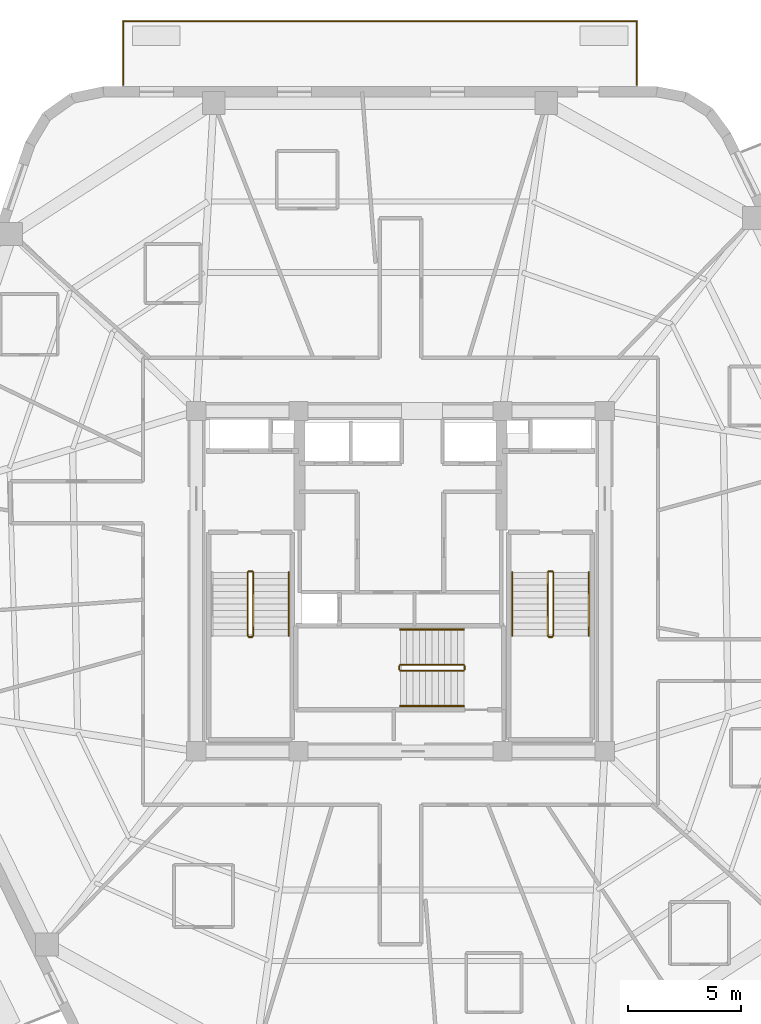
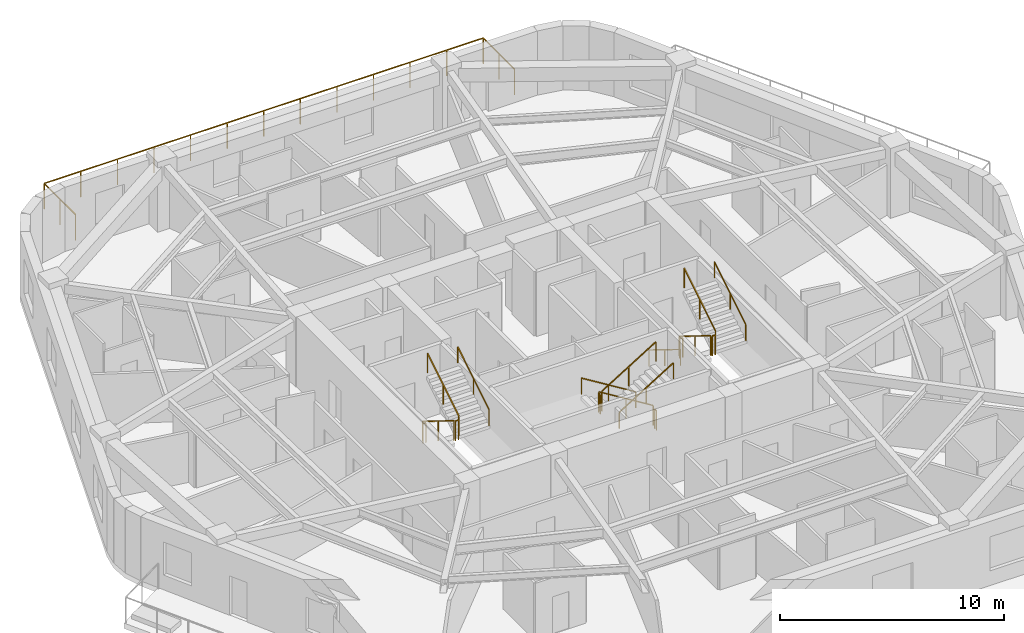
# One storey, part 9 of 10: 18 railings.
"""IFC4 building model written with IfcOpenShell, lengths in metres."""

import ifcopenshell
import ifcopenshell.guid

model = None  # the IFC model being written
_history = None  # IfcOwnerHistory: only IFC2X3 demands one
_inside = {}  # id of a spatial element -> (the spatial element, [elements in it])
_under = {}  # id of a project, library or spatial element -> (it, [spatial elements below it])
_declared = {}  # id of a project -> (the project, [libraries it declares])
_typed = {}  # id of a type object -> (the type object, [elements of that type])
_made_of = {}  # id of a material, layer set ... -> (it, [elements and type objects made of it])


def new_model(schema):
    """Start an empty IFC model of exactly this schema.

    Asked for "IFC4X3", IfcOpenShell would pick the latest addendum, in which some entities
    have other attributes; the version numbers below select the first issue.
    IFC2X3 requires an IfcOwnerHistory on every rooted entity: one is made here for all.
    """
    global model, _history
    if schema == "IFC4X3":
        model = ifcopenshell.file(schema_version=(4, 3, 0, 0))
    else:
        model = ifcopenshell.file(schema=schema)
    _inside.clear()
    _under.clear()
    _declared.clear()
    _typed.clear()
    _made_of.clear()
    _history = None
    if model.schema == "IFC2X3":
        org = make("IfcOrganization", Name="unknown")
        user = make(
            "IfcPersonAndOrganization",
            ThePerson=make("IfcPerson", FamilyName="unknown"),
            TheOrganization=org,
        )
        app = make(
            "IfcApplication",
            ApplicationDeveloper=org,
            Version="unknown",
            ApplicationFullName="unknown",
            ApplicationIdentifier="unknown",
        )
        _history = make(
            "IfcOwnerHistory",
            OwningUser=user,
            OwningApplication=app,
            ChangeAction="ADDED",
            CreationDate=0,
        )
    return model


def make(cls, **values):
    """One entity of the class cls with the attributes given. An attribute that is None is left unset."""
    return model.create_entity(
        cls, **{name: value for name, value in values.items() if value is not None}
    )


def rooted(cls, **values):
    """An entity with a GlobalId (a new one), such as an element, a storey or a relation."""
    return make(cls, GlobalId=ifcopenshell.guid.new(), OwnerHistory=_history, **values)


def si_unit(unit_type, name, prefix=None):
    """IfcSIUnit, for example si_unit("LENGTHUNIT", "METRE", prefix="MILLI")."""
    return make("IfcSIUnit", UnitType=unit_type, Prefix=prefix, Name=name)


def assignment(units):
    """IfcUnitAssignment: the units of a project."""
    return None if units is None else make("IfcUnitAssignment", Units=units)


def point(xyz):
    """IfcCartesianPoint."""
    return None if xyz is None else make("IfcCartesianPoint", Coordinates=xyz)


def direction(xyz):
    """IfcDirection."""
    return None if xyz is None else make("IfcDirection", DirectionRatios=xyz)


def frame(location, z_axis=None, x_axis=None):
    """IfcAxis2Placement3D, a coordinate frame: its origin and axes. An axis left out is left unset."""
    return make(
        "IfcAxis2Placement3D",
        Location=point(location),
        Axis=direction(z_axis),
        RefDirection=direction(x_axis),
    )


def frame_2d(location, x_axis=None):
    """IfcAxis2Placement2D, a coordinate frame in the plane: its origin and x axis."""
    return make(
        "IfcAxis2Placement2D", Location=point(location), RefDirection=direction(x_axis)
    )


def origin():
    """The frame at (0, 0, 0) with its axes left unset."""
    return frame((0.0, 0.0, 0.0))


def origin_2d():
    """The frame at (0, 0) in the plane with its x axis left unset."""
    return frame_2d((0.0, 0.0))


def place(relative_to, where):
    """IfcLocalPlacement: puts the frame where relative to a parent placement (None: the world)."""
    return make(
        "IfcLocalPlacement", PlacementRelTo=relative_to, RelativePlacement=where
    )


def context(
    kind, dimensions, precision=None, world=None, true_north=None, identifier=None
):
    """IfcGeometricRepresentationContext, for example the 3D "Model" context."""
    return make(
        "IfcGeometricRepresentationContext",
        ContextIdentifier=identifier,
        ContextType=kind,
        CoordinateSpaceDimension=dimensions,
        Precision=precision,
        WorldCoordinateSystem=world,
        TrueNorth=true_north,
    )


def subcontext(parent, identifier, kind, view, scale=None):
    """IfcGeometricRepresentationSubContext, for example "Body" below "Model"."""
    return make(
        "IfcGeometricRepresentationSubContext",
        ContextIdentifier=identifier,
        ContextType=kind,
        ParentContext=parent,
        TargetScale=scale,
        TargetView=view,
    )


def project(units=None, contexts=None):
    """IfcProject with its units and contexts."""
    return rooted(
        "IfcProject",
        Name="project",
        RepresentationContexts=contexts,
        UnitsInContext=assignment(units),
    )


def spatial(cls, under=None, at=None, **own):
    """A site, building, storey or space (cls), placed at a placement, below another one or the project."""
    s = rooted(cls, ObjectPlacement=at, **own)
    if under is not None:
        _under.setdefault(under.id(), (under, []))[1].append(s)
    return s


def profile(cls, at=None, kind="AREA", **sizes):
    """A parametric profile (cls). Its sizes go by their IFC names, for example OverallWidth=200.0."""
    return make(cls, ProfileType=kind, Position=at, **sizes)


def rectangle(**sizes):
    """IfcRectangleProfileDef."""
    return profile("IfcRectangleProfileDef", **sizes)


def extrude(swept, where, along, depth):
    """IfcExtrudedAreaSolid: the profile swept, set in the frame where, extruded along a direction by depth."""
    return make(
        "IfcExtrudedAreaSolid",
        SweptArea=swept,
        Position=where,
        ExtrudedDirection=direction(along),
        Depth=depth,
    )


def shape(context_of_items, identifier, shape_type, items):
    """IfcShapeRepresentation: the items that make up one representation, for example the "Body"."""
    return make(
        "IfcShapeRepresentation",
        ContextOfItems=context_of_items,
        RepresentationIdentifier=identifier,
        RepresentationType=shape_type,
        Items=items,
    )


def material(Name=None, Category=None):
    """IfcMaterial."""
    return make("IfcMaterial", Name=Name, Category=Category)


def layer(
    of_material, thickness, ventilated=None, Name=None, Category=None, Priority=None
):
    """IfcMaterialLayer: one layer of a wall or slab, of a material (None: an air gap)."""
    return make(
        "IfcMaterialLayer",
        Material=of_material,
        LayerThickness=thickness,
        IsVentilated=ventilated,
        Name=Name,
        Category=Category,
        Priority=Priority,
    )


def layer_set(layers, Name=None):
    """IfcMaterialLayerSet."""
    return make("IfcMaterialLayerSet", MaterialLayers=layers, LayerSetName=Name)


def made_of(thing, what):
    """Note that an element or type object is made of a material, layer set ...; save() writes the relation."""
    if what is not None:
        _made_of.setdefault(what.id(), (what, []))[1].append(thing)
    return thing


def type_object(cls, material=None, **own):
    """A type object (cls), such as IfcWallType, which elements share."""
    return made_of(rooted(cls, **own), material)


def element(
    cls,
    number,
    at=None,
    inside=None,
    cuts=None,
    type_object=None,
    material=None,
    context=None,
    identifier="Body",
    shape_type=None,
    held_by="IfcProductDefinitionShape",
    body=None,
    shapes=None,
    **own,
):
    """One element of the class cls, such as IfcWall. Its Tag is "e" and its number.

    at: its placement. inside: the storey or other place that contains it. cuts: it is an
    opening in that element (IfcRelVoidsElement). A single representation is given by context,
    identifier, shape_type and body (its items); several are given by shapes. held_by: the class
    of the entity that holds the representations. save() writes the other relations.
    """
    e = rooted(cls, Tag="e%d" % number, ObjectPlacement=at, **own)
    if body is not None:
        shapes = [shape(context, identifier, shape_type, body)]
    if shapes is not None:
        e.Representation = make(held_by, Representations=shapes)
    if inside is not None:
        _inside.setdefault(inside.id(), (inside, []))[1].append(e)
    if cuts is not None:
        rooted(
            "IfcRelVoidsElement", RelatingBuildingElement=cuts, RelatedOpeningElement=e
        )
    if type_object is not None:
        _typed.setdefault(type_object.id(), (type_object, []))[1].append(e)
    return made_of(e, material)


def aggregate(whole, parts):
    """IfcRelAggregates: a whole, such as a stair, and the parts it consists of."""
    return rooted("IfcRelAggregates", RelatingObject=whole, RelatedObjects=parts)


def save(model, path):
    """Write the relations noted so far, then the file.

    IfcRelAggregates (storeys below a building ...), IfcRelContainedInSpatialStructure (elements
    in a storey), IfcRelDefinesByType, IfcRelAssociatesMaterial and IfcRelDeclares: one each for
    every whole, place, type object, material and project.
    """
    for whole, parts in _under.values():
        aggregate(whole, parts)
    for where, things in _inside.values():
        rooted(
            "IfcRelContainedInSpatialStructure",
            RelatedElements=things,
            RelatingStructure=where,
        )
    for kind, things in _typed.values():
        rooted("IfcRelDefinesByType", RelatedObjects=things, RelatingType=kind)
    for what, things in _made_of.values():
        rooted("IfcRelAssociatesMaterial", RelatedObjects=things, RelatingMaterial=what)
    for by, libraries in _declared.values():
        rooted("IfcRelDeclares", RelatingContext=by, RelatedDefinitions=libraries)
    model.write(path)


model = new_model("IFC4")

# Units and contexts
model_context = context("Model", 3, precision=1e-05, world=origin(), true_north=direction((0.0, 1.0)))
body_context = subcontext(model_context, "Body", "Model", "MODEL_VIEW")
ifc_project = project(units=[si_unit("LENGTHUNIT", "METRE"), si_unit("AREAUNIT", "SQUARE_METRE"), si_unit("VOLUMEUNIT", "CUBIC_METRE"), si_unit("PLANEANGLEUNIT", "RADIAN"), si_unit("MASSUNIT", "GRAM", prefix="KILO")], contexts=[model_context])

# Site, building, storey
site_placement = place(None, origin())
site = spatial("IfcSite", under=ifc_project, at=site_placement, CompositionType="ELEMENT")
building_placement = place(site_placement, origin())
building = spatial("IfcBuilding", under=site, at=building_placement, Name="Kilnhurst Terrace Hotel", CompositionType="ELEMENT")
storey_placement = place(building_placement, frame((0.0, 0.0, 217.89990234375)))
storey = spatial("IfcBuildingStorey", under=building, at=storey_placement, Name="L54", CompositionType="ELEMENT", Elevation=217.89990234375)

# Railings
ifc_material_1 = material(Name="Laminated SentryGlas and Stainless Steel AISI 316L Balustrade", Category="steel")
ifc_layer_1 = layer(ifc_material_1, 0.070068359375, Name="Laminated SentryGlas and Stainless Steel AISI 316L Balustrade")
ifc_layer_set_1 = layer_set([ifc_layer_1], Name="Laminated SentryGlas and Stainless Steel AISI 316L Balustrade")
railing_type_1 = type_object("IfcRailingType", Name="RLG-BAL-1420", PredefinedType="BALUSTRADE", material=ifc_layer_set_1)
railing_1_placement = place(storey_placement, frame((-12.21484375, 21.8798828125, 0.0)))
element("IfcRailing", 1, at=railing_1_placement, inside=storey, type_object=railing_type_1, Name="L54 Exterior Terrace Guardrail BAL-L1B.1", PredefinedType="BALUSTRADE", context=body_context, shape_type="SweptSolid", body=[
    extrude(rectangle(XDim=0.048095703125, YDim=0.048095703125, at=origin_2d()), frame((0.0, 0.0, 1.39599609375), z_axis=(0.0, 1.0, 0.0), x_axis=(-1.0, 0.0, 0.0)), (0.0, 0.0, 1.0), 2.800048828125),
    extrude(rectangle(XDim=0.048095703125, YDim=0.048095703125, at=origin_2d()), frame((0.0, 2.800048828125, 1.39599609375), z_axis=(1.0, 0.0, 0.0), x_axis=(0.0, 1.0, 0.0)), (0.0, 0.0, 1.0), 22.62353515625),
    extrude(rectangle(XDim=0.048095703125, YDim=0.048095703125, at=origin_2d()), frame((22.62353515625, 2.800048828125, 1.39599609375), z_axis=(0.0, -1.0, 0.0), x_axis=(1.0, 0.0, 0.0)), (0.0, 0.0, 1.0), 2.800048828125),
    extrude(rectangle(XDim=0.0419921875, YDim=0.0419921875, at=origin_2d()), origin(), (0.0, 0.0, 1.0), 1.371826171875),
    extrude(rectangle(XDim=0.0419921875, YDim=0.0419921875, at=origin_2d()), frame((0.0, 1.39990234375, 0.0)), (0.0, 0.0, 1.0), 1.371826171875),
    extrude(rectangle(XDim=0.0419921875, YDim=0.0419921875, at=origin_2d()), frame((0.0, 2.800048828125, 0.0)), (0.0, 0.0, 1.0), 1.371826171875),
    extrude(rectangle(XDim=0.0419921875, YDim=0.0419921875, at=origin_2d()), frame((1.88525390625, 2.800048828125, 0.0)), (0.0, 0.0, 1.0), 1.371826171875),
    extrude(rectangle(XDim=0.0419921875, YDim=0.0419921875, at=origin_2d()), frame((3.7705078125, 2.800048828125, 0.0)), (0.0, 0.0, 1.0), 1.371826171875),
    extrude(rectangle(XDim=0.0419921875, YDim=0.0419921875, at=origin_2d()), frame((5.65576171875, 2.800048828125, 0.0)), (0.0, 0.0, 1.0), 1.371826171875),
    extrude(rectangle(XDim=0.0419921875, YDim=0.0419921875, at=origin_2d()), frame((7.541259765625, 2.800048828125, 0.0)), (0.0, 0.0, 1.0), 1.371826171875),
    extrude(rectangle(XDim=0.0419921875, YDim=0.0419921875, at=origin_2d()), frame((9.426513671875, 2.800048828125, 0.0)), (0.0, 0.0, 1.0), 1.371826171875),
    extrude(rectangle(XDim=0.0419921875, YDim=0.0419921875, at=origin_2d()), frame((11.311767578125, 2.800048828125, 0.0)), (0.0, 0.0, 1.0), 1.371826171875),
    extrude(rectangle(XDim=0.0419921875, YDim=0.0419921875, at=origin_2d()), frame((13.197021484375, 2.800048828125, 0.0)), (0.0, 0.0, 1.0), 1.371826171875),
    extrude(rectangle(XDim=0.0419921875, YDim=0.0419921875, at=origin_2d()), frame((15.082275390625, 2.800048828125, 0.0)), (0.0, 0.0, 1.0), 1.371826171875),
    extrude(rectangle(XDim=0.0419921875, YDim=0.0419921875, at=origin_2d()), frame((16.9677734375, 2.800048828125, 0.0)), (0.0, 0.0, 1.0), 1.371826171875),
    extrude(rectangle(XDim=0.0419921875, YDim=0.0419921875, at=origin_2d()), frame((18.85302734375, 2.800048828125, 0.0)), (0.0, 0.0, 1.0), 1.371826171875),
    extrude(rectangle(XDim=0.0419921875, YDim=0.0419921875, at=origin_2d()), frame((20.73828125, 2.800048828125, 0.0)), (0.0, 0.0, 1.0), 1.371826171875),
    extrude(rectangle(XDim=0.0419921875, YDim=0.0419921875, at=origin_2d()), frame((22.62353515625, 2.800048828125, 0.0)), (0.0, 0.0, 1.0), 1.371826171875),
    extrude(rectangle(XDim=0.0419921875, YDim=0.0419921875, at=origin_2d()), frame((22.62353515625, 1.39990234375, 0.0)), (0.0, 0.0, 1.0), 1.371826171875),
    extrude(rectangle(XDim=0.0419921875, YDim=0.0419921875, at=origin_2d()), frame((22.62353515625, 0.0, 0.0)), (0.0, 0.0, 1.0), 1.371826171875),
])
ifc_material_2 = material(Name="Powder-Coated Steel ASTM A500 Grade B", Category="steel")
ifc_layer_2 = layer(ifc_material_2, 0.050048828125, Name="Powder-Coated Steel ASTM A500 Grade B")
ifc_layer_set_2 = layer_set([ifc_layer_2], Name="Powder-Coated Steel ASTM A500 Grade B")
railing_type_2 = type_object("IfcRailingType", Name="RLG-ST-GRD-1100", PredefinedType="GUARDRAIL", material=ifc_layer_set_2)
railing_2_placement = place(storey_placement, frame((-6.739990234375, 0.389892578125, 0.1728515625)))
element("IfcRailing", 2, at=railing_2_placement, inside=storey, type_object=railing_type_2, Name="L54 ST-1 stair guard 1", PredefinedType="GUARDRAIL", context=body_context, shape_type="SweptSolid", body=[
    extrude(rectangle(XDim=0.048095703125, YDim=0.048095703125, at=origin_2d()), frame((0.0, 0.0, 1.076171875), z_axis=(0.0, -0.851069175582, 0.525053576669), x_axis=(1.0, 0.0, 0.0)), (0.0, 0.0, 1.0), 3.289794921875),
    extrude(rectangle(XDim=0.0419921875, YDim=0.0419921875, at=origin_2d()), origin(), (0.0, 0.0, 1.0), 1.052001953125),
    extrude(rectangle(XDim=0.0419921875, YDim=0.0419921875, at=origin_2d()), frame((0.0, -1.39990234375, 0.86376953125)), (0.0, 0.0, 1.0), 1.052001953125),
    extrude(rectangle(XDim=0.0419921875, YDim=0.0419921875, at=origin_2d()), frame((0.0, -2.7998046875, 1.727294921875)), (0.0, 0.0, 1.0), 1.052001953125),
])
railing_3_placement = place(storey_placement, frame((-6.68994140625, -2.4599609375, 1.900146484375)))
element("IfcRailing", 3, at=railing_3_placement, inside=storey, type_object=railing_type_2, Name="L54 ST-1 stair guard 2", PredefinedType="GUARDRAIL", context=body_context, shape_type="SweptSolid", body=[
    extrude(rectangle(XDim=0.048095703125, YDim=0.048095703125, at=origin_2d()), frame((0.0, 0.0, 1.076171875), z_axis=(1.0, 0.0, 0.0), x_axis=(0.0, 1.0, 0.0)), (0.0, 0.0, 1.0), 0.14990234375),
    extrude(rectangle(XDim=0.0419921875, YDim=0.0419921875, at=origin_2d()), origin(), (0.0, 0.0, 1.0), 1.052001953125),
    extrude(rectangle(XDim=0.0419921875, YDim=0.0419921875, at=origin_2d()), frame((0.14990234375, 0.0, 0.0)), (0.0, 0.0, 1.0), 1.052001953125),
])
railing_4_placement = place(storey_placement, frame((-6.489990234375, -2.409912109375, 2.07275390625)))
element("IfcRailing", 4, at=railing_4_placement, inside=storey, type_object=railing_type_2, Name="L54 ST-1 stair guard 3", PredefinedType="GUARDRAIL", context=body_context, shape_type="SweptSolid", body=[
    extrude(rectangle(XDim=0.048095703125, YDim=0.048095703125, at=origin_2d()), frame((0.0, 0.0, 1.076171875), z_axis=(0.0, 0.851069175582, 0.525053576669), x_axis=(-1.0, 0.0, 0.0)), (0.0, 0.0, 1.0), 3.289794921875),
    extrude(rectangle(XDim=0.0419921875, YDim=0.0419921875, at=origin_2d()), origin(), (0.0, 0.0, 1.0), 1.052001953125),
    extrude(rectangle(XDim=0.0419921875, YDim=0.0419921875, at=origin_2d()), frame((0.0, 1.39990234375, 0.86376953125)), (0.0, 0.0, 1.0), 1.052001953125),
    extrude(rectangle(XDim=0.0419921875, YDim=0.0419921875, at=origin_2d()), frame((0.0, 2.7998046875, 1.727294921875)), (0.0, 0.0, 1.0), 1.052001953125),
])
railing_5_placement = place(storey_placement, frame((-6.68994140625, 0.43994140625, 0.0)))
element("IfcRailing", 5, at=railing_5_placement, inside=storey, type_object=railing_type_2, Name="L54 ST-1 stair guard 4", PredefinedType="GUARDRAIL", context=body_context, shape_type="SweptSolid", body=[
    extrude(rectangle(XDim=0.048095703125, YDim=0.048095703125, at=origin_2d()), frame((0.0, 0.0, 1.076171875), z_axis=(1.0, 0.0, 0.0), x_axis=(0.0, 1.0, 0.0)), (0.0, 0.0, 1.0), 0.14990234375),
    extrude(rectangle(XDim=0.0419921875, YDim=0.0419921875, at=origin_2d()), origin(), (0.0, 0.0, 1.0), 1.052001953125),
    extrude(rectangle(XDim=0.0419921875, YDim=0.0419921875, at=origin_2d()), frame((0.14990234375, 0.0, 0.0)), (0.0, 0.0, 1.0), 1.052001953125),
])
railing_6_placement = place(storey_placement, frame((6.489990234375, 0.389892578125, 0.1728515625)))
element("IfcRailing", 6, at=railing_6_placement, inside=storey, type_object=railing_type_2, Name="L54 ST-2 stair guard 1", PredefinedType="GUARDRAIL", context=body_context, shape_type="SweptSolid", body=[
    extrude(rectangle(XDim=0.048095703125, YDim=0.048095703125, at=origin_2d()), frame((0.0, 0.0, 1.076171875), z_axis=(0.0, -0.851069175582, 0.525053576669), x_axis=(1.0, 0.0, 0.0)), (0.0, 0.0, 1.0), 3.289794921875),
    extrude(rectangle(XDim=0.0419921875, YDim=0.0419921875, at=origin_2d()), origin(), (0.0, 0.0, 1.0), 1.052001953125),
    extrude(rectangle(XDim=0.0419921875, YDim=0.0419921875, at=origin_2d()), frame((0.0, -1.39990234375, 0.86376953125)), (0.0, 0.0, 1.0), 1.052001953125),
    extrude(rectangle(XDim=0.0419921875, YDim=0.0419921875, at=origin_2d()), frame((0.0, -2.7998046875, 1.727294921875)), (0.0, 0.0, 1.0), 1.052001953125),
])
railing_7_placement = place(storey_placement, frame((6.5400390625, -2.4599609375, 1.900146484375)))
element("IfcRailing", 7, at=railing_7_placement, inside=storey, type_object=railing_type_2, Name="L54 ST-2 stair guard 2", PredefinedType="GUARDRAIL", context=body_context, shape_type="SweptSolid", body=[
    extrude(rectangle(XDim=0.048095703125, YDim=0.048095703125, at=origin_2d()), frame((0.0, 0.0, 1.076171875), z_axis=(1.0, 0.0, 0.0), x_axis=(0.0, 1.0, 0.0)), (0.0, 0.0, 1.0), 0.14990234375),
    extrude(rectangle(XDim=0.0419921875, YDim=0.0419921875, at=origin_2d()), origin(), (0.0, 0.0, 1.0), 1.052001953125),
    extrude(rectangle(XDim=0.0419921875, YDim=0.0419921875, at=origin_2d()), frame((0.14990234375, 0.0, 0.0)), (0.0, 0.0, 1.0), 1.052001953125),
])
railing_8_placement = place(storey_placement, frame((6.739990234375, -2.409912109375, 2.07275390625)))
element("IfcRailing", 8, at=railing_8_placement, inside=storey, type_object=railing_type_2, Name="L54 ST-2 stair guard 3", PredefinedType="GUARDRAIL", context=body_context, shape_type="SweptSolid", body=[
    extrude(rectangle(XDim=0.048095703125, YDim=0.048095703125, at=origin_2d()), frame((0.0, 0.0, 1.076171875), z_axis=(0.0, 0.851069175582, 0.525053576669), x_axis=(-1.0, 0.0, 0.0)), (0.0, 0.0, 1.0), 3.289794921875),
    extrude(rectangle(XDim=0.0419921875, YDim=0.0419921875, at=origin_2d()), origin(), (0.0, 0.0, 1.0), 1.052001953125),
    extrude(rectangle(XDim=0.0419921875, YDim=0.0419921875, at=origin_2d()), frame((0.0, 1.39990234375, 0.86376953125)), (0.0, 0.0, 1.0), 1.052001953125),
    extrude(rectangle(XDim=0.0419921875, YDim=0.0419921875, at=origin_2d()), frame((0.0, 2.7998046875, 1.727294921875)), (0.0, 0.0, 1.0), 1.052001953125),
])
railing_9_placement = place(storey_placement, frame((6.5400390625, 0.43994140625, 0.0)))
element("IfcRailing", 9, at=railing_9_placement, inside=storey, type_object=railing_type_2, Name="L54 ST-2 stair guard 4", PredefinedType="GUARDRAIL", context=body_context, shape_type="SweptSolid", body=[
    extrude(rectangle(XDim=0.048095703125, YDim=0.048095703125, at=origin_2d()), frame((0.0, 0.0, 1.076171875), z_axis=(1.0, 0.0, 0.0), x_axis=(0.0, 1.0, 0.0)), (0.0, 0.0, 1.0), 0.14990234375),
    extrude(rectangle(XDim=0.0419921875, YDim=0.0419921875, at=origin_2d()), origin(), (0.0, 0.0, 1.0), 1.052001953125),
    extrude(rectangle(XDim=0.0419921875, YDim=0.0419921875, at=origin_2d()), frame((0.14990234375, 0.0, 0.0)), (0.0, 0.0, 1.0), 1.052001953125),
])
railing_10_placement = place(storey_placement, frame((2.7900390625, -3.68994140625, 0.1728515625)))
element("IfcRailing", 10, at=railing_10_placement, inside=storey, type_object=railing_type_2, Name="L54 ST-3 stair guard 1", PredefinedType="GUARDRAIL", context=body_context, shape_type="SweptSolid", body=[
    extrude(rectangle(XDim=0.048095703125, YDim=0.048095703125, at=origin_2d()), frame((0.0, 0.0, 1.076171875), z_axis=(-0.851089632645, 0.0, 0.525020415988), x_axis=(0.0, -1.0, 0.0)), (0.0, 0.0, 1.0), 3.2900390625),
    extrude(rectangle(XDim=0.0419921875, YDim=0.0419921875, at=origin_2d()), origin(), (0.0, 0.0, 1.0), 1.052001953125),
    extrude(rectangle(XDim=0.0419921875, YDim=0.0419921875, at=origin_2d()), frame((-1.39990234375, 0.0, 0.86376953125)), (0.0, 0.0, 1.0), 1.052001953125),
    extrude(rectangle(XDim=0.0419921875, YDim=0.0419921875, at=origin_2d()), frame((-2.800048828125, 0.0, 1.727294921875)), (0.0, 0.0, 1.0), 1.052001953125),
])
railing_11_placement = place(storey_placement, frame((-0.06005859375, -3.739990234375, 1.900146484375)))
element("IfcRailing", 11, at=railing_11_placement, inside=storey, type_object=railing_type_2, Name="L54 ST-3 stair guard 2", PredefinedType="GUARDRAIL", context=body_context, shape_type="SweptSolid", body=[
    extrude(rectangle(XDim=0.048095703125, YDim=0.048095703125, at=origin_2d()), frame((0.0, 0.0, 1.076171875), z_axis=(0.0, -1.0, 0.0), x_axis=(1.0, 0.0, 0.0)), (0.0, 0.0, 1.0), 0.14990234375),
    extrude(rectangle(XDim=0.0419921875, YDim=0.0419921875, at=origin_2d()), origin(), (0.0, 0.0, 1.0), 1.052001953125),
    extrude(rectangle(XDim=0.0419921875, YDim=0.0419921875, at=origin_2d()), frame((0.0, -0.14990234375, 0.0)), (0.0, 0.0, 1.0), 1.052001953125),
])
railing_12_placement = place(storey_placement, frame((-0.010009765625, -3.93994140625, 2.07275390625)))
element("IfcRailing", 12, at=railing_12_placement, inside=storey, type_object=railing_type_2, Name="L54 ST-3 stair guard 3", PredefinedType="GUARDRAIL", context=body_context, shape_type="SweptSolid", body=[
    extrude(rectangle(XDim=0.048095703125, YDim=0.048095703125, at=origin_2d()), frame((0.0, 0.0, 1.076171875), z_axis=(0.851089632645, 0.0, 0.525020415988), x_axis=(0.0, 1.0, 0.0)), (0.0, 0.0, 1.0), 3.2900390625),
    extrude(rectangle(XDim=0.0419921875, YDim=0.0419921875, at=origin_2d()), origin(), (0.0, 0.0, 1.0), 1.052001953125),
    extrude(rectangle(XDim=0.0419921875, YDim=0.0419921875, at=origin_2d()), frame((1.39990234375, 0.0, 0.86376953125)), (0.0, 0.0, 1.0), 1.052001953125),
    extrude(rectangle(XDim=0.0419921875, YDim=0.0419921875, at=origin_2d()), frame((2.800048828125, 0.0, 1.727294921875)), (0.0, 0.0, 1.0), 1.052001953125),
])
railing_13_placement = place(storey_placement, frame((2.840087890625, -3.739990234375, 0.0)))
element("IfcRailing", 13, at=railing_13_placement, inside=storey, type_object=railing_type_2, Name="L54 ST-3 stair guard 4", PredefinedType="GUARDRAIL", context=body_context, shape_type="SweptSolid", body=[
    extrude(rectangle(XDim=0.048095703125, YDim=0.048095703125, at=origin_2d()), frame((0.0, 0.0, 1.076171875), z_axis=(0.0, -1.0, 0.0), x_axis=(1.0, 0.0, 0.0)), (0.0, 0.0, 1.0), 0.14990234375),
    extrude(rectangle(XDim=0.0419921875, YDim=0.0419921875, at=origin_2d()), origin(), (0.0, 0.0, 1.0), 1.052001953125),
    extrude(rectangle(XDim=0.0419921875, YDim=0.0419921875, at=origin_2d()), frame((0.0, -0.14990234375, 0.0)), (0.0, 0.0, 1.0), 1.052001953125),
])
ifc_material_3 = material(Name="Brushed Stainless Steel AISI 304", Category="steel")
ifc_layer_3 = layer(ifc_material_3, 0.048095703125, Name="Brushed Stainless Steel AISI 304")
ifc_layer_set_3 = layer_set([ifc_layer_3], Name="Brushed Stainless Steel AISI 304")
railing_type_3 = type_object("IfcRailingType", Name="RLG-ST-HRL-900", PredefinedType="HANDRAIL", material=ifc_layer_set_3)
railing_14_placement = place(storey_placement, frame((-4.929931640625, -2.409912109375, 2.07275390625)))
element("IfcRailing", 14, at=railing_14_placement, inside=storey, type_object=railing_type_3, Name="L54 ST-1 stair handrail 2", PredefinedType="HANDRAIL", context=body_context, shape_type="SweptSolid", body=[
    extrude(rectangle(XDim=0.048095703125, YDim=0.048095703125, at=origin_2d()), frame((0.0, 0.0, 0.8759765625), z_axis=(0.0, 0.851069175582, 0.525053576669), x_axis=(-1.0, 0.0, 0.0)), (0.0, 0.0, 1.0), 3.289794921875),
    extrude(rectangle(XDim=0.0419921875, YDim=0.0419921875, at=origin_2d()), origin(), (0.0, 0.0, 1.0), 0.851806640625),
    extrude(rectangle(XDim=0.0419921875, YDim=0.0419921875, at=origin_2d()), frame((0.0, 1.39990234375, 0.86376953125)), (0.0, 0.0, 1.0), 0.851806640625),
    extrude(rectangle(XDim=0.0419921875, YDim=0.0419921875, at=origin_2d()), frame((0.0, 2.7998046875, 1.727294921875)), (0.0, 0.0, 1.0), 0.851806640625),
])
railing_15_placement = place(storey_placement, frame((4.929931640625, 0.389892578125, 0.1728515625)))
element("IfcRailing", 15, at=railing_15_placement, inside=storey, type_object=railing_type_3, Name="L54 ST-2 stair handrail 1", PredefinedType="HANDRAIL", context=body_context, shape_type="SweptSolid", body=[
    extrude(rectangle(XDim=0.048095703125, YDim=0.048095703125, at=origin_2d()), frame((0.0, 0.0, 0.8759765625), z_axis=(0.0, -0.851069175582, 0.525053576669), x_axis=(1.0, 0.0, 0.0)), (0.0, 0.0, 1.0), 3.289794921875),
    extrude(rectangle(XDim=0.0419921875, YDim=0.0419921875, at=origin_2d()), origin(), (0.0, 0.0, 1.0), 0.851806640625),
    extrude(rectangle(XDim=0.0419921875, YDim=0.0419921875, at=origin_2d()), frame((0.0, -1.39990234375, 0.86376953125)), (0.0, 0.0, 1.0), 0.851806640625),
    extrude(rectangle(XDim=0.0419921875, YDim=0.0419921875, at=origin_2d()), frame((0.0, -2.7998046875, 1.727294921875)), (0.0, 0.0, 1.0), 0.851806640625),
])
railing_16_placement = place(storey_placement, frame((8.300048828125, -2.409912109375, 2.07275390625)))
element("IfcRailing", 16, at=railing_16_placement, inside=storey, type_object=railing_type_3, Name="L54 ST-2 stair handrail 2", PredefinedType="HANDRAIL", context=body_context, shape_type="SweptSolid", body=[
    extrude(rectangle(XDim=0.048095703125, YDim=0.048095703125, at=origin_2d()), frame((0.0, 0.0, 0.8759765625), z_axis=(0.0, 0.851069175582, 0.525053576669), x_axis=(-1.0, 0.0, 0.0)), (0.0, 0.0, 1.0), 3.289794921875),
    extrude(rectangle(XDim=0.0419921875, YDim=0.0419921875, at=origin_2d()), origin(), (0.0, 0.0, 1.0), 0.851806640625),
    extrude(rectangle(XDim=0.0419921875, YDim=0.0419921875, at=origin_2d()), frame((0.0, 1.39990234375, 0.86376953125)), (0.0, 0.0, 1.0), 0.851806640625),
    extrude(rectangle(XDim=0.0419921875, YDim=0.0419921875, at=origin_2d()), frame((0.0, 2.7998046875, 1.727294921875)), (0.0, 0.0, 1.0), 0.851806640625),
])
railing_17_placement = place(storey_placement, frame((2.7900390625, -2.1298828125, 0.1728515625)))
element("IfcRailing", 17, at=railing_17_placement, inside=storey, type_object=railing_type_3, Name="L54 ST-3 stair handrail 1", PredefinedType="HANDRAIL", context=body_context, shape_type="SweptSolid", body=[
    extrude(rectangle(XDim=0.048095703125, YDim=0.048095703125, at=origin_2d()), frame((0.0, 0.0, 0.8759765625), z_axis=(-0.851089632645, 0.0, 0.525020415988), x_axis=(0.0, -1.0, 0.0)), (0.0, 0.0, 1.0), 3.2900390625),
    extrude(rectangle(XDim=0.0419921875, YDim=0.0419921875, at=origin_2d()), origin(), (0.0, 0.0, 1.0), 0.851806640625),
    extrude(rectangle(XDim=0.0419921875, YDim=0.0419921875, at=origin_2d()), frame((-1.39990234375, 0.0, 0.86376953125)), (0.0, 0.0, 1.0), 0.851806640625),
    extrude(rectangle(XDim=0.0419921875, YDim=0.0419921875, at=origin_2d()), frame((-2.800048828125, 0.0, 1.727294921875)), (0.0, 0.0, 1.0), 0.851806640625),
])
railing_18_placement = place(storey_placement, frame((-0.010009765625, -5.5, 2.07275390625)))
element("IfcRailing", 18, at=railing_18_placement, inside=storey, type_object=railing_type_3, Name="L54 ST-3 stair handrail 2", PredefinedType="HANDRAIL", context=body_context, shape_type="SweptSolid", body=[
    extrude(rectangle(XDim=0.048095703125, YDim=0.048095703125, at=origin_2d()), frame((0.0, 0.0, 0.8759765625), z_axis=(0.851089632645, 0.0, 0.525020415988), x_axis=(0.0, 1.0, 0.0)), (0.0, 0.0, 1.0), 3.2900390625),
    extrude(rectangle(XDim=0.0419921875, YDim=0.0419921875, at=origin_2d()), origin(), (0.0, 0.0, 1.0), 0.851806640625),
    extrude(rectangle(XDim=0.0419921875, YDim=0.0419921875, at=origin_2d()), frame((1.39990234375, 0.0, 0.86376953125)), (0.0, 0.0, 1.0), 0.851806640625),
    extrude(rectangle(XDim=0.0419921875, YDim=0.0419921875, at=origin_2d()), frame((2.800048828125, 0.0, 1.727294921875)), (0.0, 0.0, 1.0), 0.851806640625),
])

save(model, "model.ifc")
